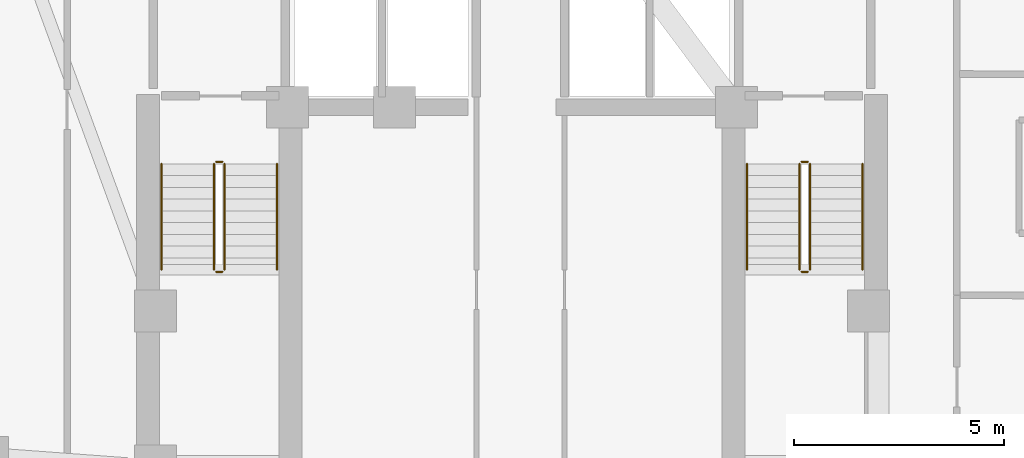
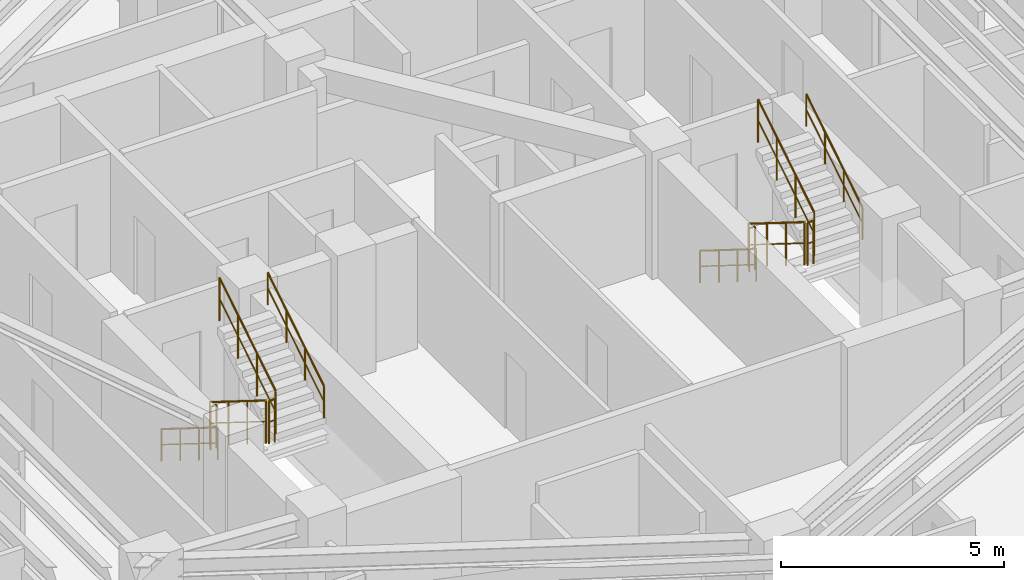
# One storey, part 12 of 12: 12 railings.
"""IFC4 building model written with IfcOpenShell, lengths in metres."""

import ifcopenshell
import ifcopenshell.guid

model = None  # the IFC model being written
_history = None  # IfcOwnerHistory: only IFC2X3 demands one
_inside = {}  # id of a spatial element -> (the spatial element, [elements in it])
_under = {}  # id of a project, library or spatial element -> (it, [spatial elements below it])
_declared = {}  # id of a project -> (the project, [libraries it declares])
_typed = {}  # id of a type object -> (the type object, [elements of that type])
_made_of = {}  # id of a material, layer set ... -> (it, [elements and type objects made of it])


def new_model(schema):
    """Start an empty IFC model of exactly this schema.

    Asked for "IFC4X3", IfcOpenShell would pick the latest addendum, in which some entities
    have other attributes; the version numbers below select the first issue.
    IFC2X3 requires an IfcOwnerHistory on every rooted entity: one is made here for all.
    """
    global model, _history
    if schema == "IFC4X3":
        model = ifcopenshell.file(schema_version=(4, 3, 0, 0))
    else:
        model = ifcopenshell.file(schema=schema)
    _inside.clear()
    _under.clear()
    _declared.clear()
    _typed.clear()
    _made_of.clear()
    _history = None
    if model.schema == "IFC2X3":
        org = make("IfcOrganization", Name="unknown")
        user = make(
            "IfcPersonAndOrganization",
            ThePerson=make("IfcPerson", FamilyName="unknown"),
            TheOrganization=org,
        )
        app = make(
            "IfcApplication",
            ApplicationDeveloper=org,
            Version="unknown",
            ApplicationFullName="unknown",
            ApplicationIdentifier="unknown",
        )
        _history = make(
            "IfcOwnerHistory",
            OwningUser=user,
            OwningApplication=app,
            ChangeAction="ADDED",
            CreationDate=0,
        )
    return model


def make(cls, **values):
    """One entity of the class cls with the attributes given. An attribute that is None is left unset."""
    return model.create_entity(
        cls, **{name: value for name, value in values.items() if value is not None}
    )


def rooted(cls, **values):
    """An entity with a GlobalId (a new one), such as an element, a storey or a relation."""
    return make(cls, GlobalId=ifcopenshell.guid.new(), OwnerHistory=_history, **values)


def si_unit(unit_type, name, prefix=None):
    """IfcSIUnit, for example si_unit("LENGTHUNIT", "METRE", prefix="MILLI")."""
    return make("IfcSIUnit", UnitType=unit_type, Prefix=prefix, Name=name)


def assignment(units):
    """IfcUnitAssignment: the units of a project."""
    return None if units is None else make("IfcUnitAssignment", Units=units)


def point(xyz):
    """IfcCartesianPoint."""
    return None if xyz is None else make("IfcCartesianPoint", Coordinates=xyz)


def direction(xyz):
    """IfcDirection."""
    return None if xyz is None else make("IfcDirection", DirectionRatios=xyz)


def frame(location, z_axis=None, x_axis=None):
    """IfcAxis2Placement3D, a coordinate frame: its origin and axes. An axis left out is left unset."""
    return make(
        "IfcAxis2Placement3D",
        Location=point(location),
        Axis=direction(z_axis),
        RefDirection=direction(x_axis),
    )


def frame_2d(location, x_axis=None):
    """IfcAxis2Placement2D, a coordinate frame in the plane: its origin and x axis."""
    return make(
        "IfcAxis2Placement2D", Location=point(location), RefDirection=direction(x_axis)
    )


def origin():
    """The frame at (0, 0, 0) with its axes left unset."""
    return frame((0.0, 0.0, 0.0))


def origin_2d():
    """The frame at (0, 0) in the plane with its x axis left unset."""
    return frame_2d((0.0, 0.0))


def place(relative_to, where):
    """IfcLocalPlacement: puts the frame where relative to a parent placement (None: the world)."""
    return make(
        "IfcLocalPlacement", PlacementRelTo=relative_to, RelativePlacement=where
    )


def context(
    kind, dimensions, precision=None, world=None, true_north=None, identifier=None
):
    """IfcGeometricRepresentationContext, for example the 3D "Model" context."""
    return make(
        "IfcGeometricRepresentationContext",
        ContextIdentifier=identifier,
        ContextType=kind,
        CoordinateSpaceDimension=dimensions,
        Precision=precision,
        WorldCoordinateSystem=world,
        TrueNorth=true_north,
    )


def subcontext(parent, identifier, kind, view, scale=None):
    """IfcGeometricRepresentationSubContext, for example "Body" below "Model"."""
    return make(
        "IfcGeometricRepresentationSubContext",
        ContextIdentifier=identifier,
        ContextType=kind,
        ParentContext=parent,
        TargetScale=scale,
        TargetView=view,
    )


def project(units=None, contexts=None):
    """IfcProject with its units and contexts."""
    return rooted(
        "IfcProject",
        Name="project",
        RepresentationContexts=contexts,
        UnitsInContext=assignment(units),
    )


def spatial(cls, under=None, at=None, **own):
    """A site, building, storey or space (cls), placed at a placement, below another one or the project."""
    s = rooted(cls, ObjectPlacement=at, **own)
    if under is not None:
        _under.setdefault(under.id(), (under, []))[1].append(s)
    return s


def profile(cls, at=None, kind="AREA", **sizes):
    """A parametric profile (cls). Its sizes go by their IFC names, for example OverallWidth=200.0."""
    return make(cls, ProfileType=kind, Position=at, **sizes)


def circle(**sizes):
    """IfcCircleProfileDef."""
    return profile("IfcCircleProfileDef", **sizes)


def extrude(swept, where, along, depth):
    """IfcExtrudedAreaSolid: the profile swept, set in the frame where, extruded along a direction by depth."""
    return make(
        "IfcExtrudedAreaSolid",
        SweptArea=swept,
        Position=where,
        ExtrudedDirection=direction(along),
        Depth=depth,
    )


def shape(context_of_items, identifier, shape_type, items):
    """IfcShapeRepresentation: the items that make up one representation, for example the "Body"."""
    return make(
        "IfcShapeRepresentation",
        ContextOfItems=context_of_items,
        RepresentationIdentifier=identifier,
        RepresentationType=shape_type,
        Items=items,
    )


def material(Name=None, Category=None):
    """IfcMaterial."""
    return make("IfcMaterial", Name=Name, Category=Category)


def made_of(thing, what):
    """Note that an element or type object is made of a material, layer set ...; save() writes the relation."""
    if what is not None:
        _made_of.setdefault(what.id(), (what, []))[1].append(thing)
    return thing


def type_object(cls, material=None, **own):
    """A type object (cls), such as IfcWallType, which elements share."""
    return made_of(rooted(cls, **own), material)


def element(
    cls,
    number,
    at=None,
    inside=None,
    cuts=None,
    type_object=None,
    material=None,
    context=None,
    identifier="Body",
    shape_type=None,
    held_by="IfcProductDefinitionShape",
    body=None,
    shapes=None,
    **own,
):
    """One element of the class cls, such as IfcWall. Its Tag is "e" and its number.

    at: its placement. inside: the storey or other place that contains it. cuts: it is an
    opening in that element (IfcRelVoidsElement). A single representation is given by context,
    identifier, shape_type and body (its items); several are given by shapes. held_by: the class
    of the entity that holds the representations. save() writes the other relations.
    """
    e = rooted(cls, Tag="e%d" % number, ObjectPlacement=at, **own)
    if body is not None:
        shapes = [shape(context, identifier, shape_type, body)]
    if shapes is not None:
        e.Representation = make(held_by, Representations=shapes)
    if inside is not None:
        _inside.setdefault(inside.id(), (inside, []))[1].append(e)
    if cuts is not None:
        rooted(
            "IfcRelVoidsElement", RelatingBuildingElement=cuts, RelatedOpeningElement=e
        )
    if type_object is not None:
        _typed.setdefault(type_object.id(), (type_object, []))[1].append(e)
    return made_of(e, material)


def aggregate(whole, parts):
    """IfcRelAggregates: a whole, such as a stair, and the parts it consists of."""
    return rooted("IfcRelAggregates", RelatingObject=whole, RelatedObjects=parts)


def save(model, path):
    """Write the relations noted so far, then the file.

    IfcRelAggregates (storeys below a building ...), IfcRelContainedInSpatialStructure (elements
    in a storey), IfcRelDefinesByType, IfcRelAssociatesMaterial and IfcRelDeclares: one each for
    every whole, place, type object, material and project.
    """
    for whole, parts in _under.values():
        aggregate(whole, parts)
    for where, things in _inside.values():
        rooted(
            "IfcRelContainedInSpatialStructure",
            RelatedElements=things,
            RelatingStructure=where,
        )
    for kind, things in _typed.values():
        rooted("IfcRelDefinesByType", RelatedObjects=things, RelatingType=kind)
    for what, things in _made_of.values():
        rooted("IfcRelAssociatesMaterial", RelatedObjects=things, RelatingMaterial=what)
    for by, libraries in _declared.values():
        rooted("IfcRelDeclares", RelatingContext=by, RelatedDefinitions=libraries)
    model.write(path)


model = new_model("IFC4")

# Units and contexts
model_context = context("Model", 3, precision=1e-05, world=origin(), true_north=direction((0.0, 1.0)))
body_context = subcontext(model_context, "Body", "Model", "MODEL_VIEW")
ifc_project = project(units=[si_unit("LENGTHUNIT", "METRE"), si_unit("AREAUNIT", "SQUARE_METRE"), si_unit("VOLUMEUNIT", "CUBIC_METRE"), si_unit("PLANEANGLEUNIT", "RADIAN"), si_unit("MASSUNIT", "GRAM", prefix="KILO")], contexts=[model_context])

# Site, building, storey
site_placement = place(None, origin())
site = spatial("IfcSite", under=ifc_project, at=site_placement, CompositionType="ELEMENT")
building_placement = place(site_placement, origin())
building = spatial("IfcBuilding", under=site, at=building_placement, Name="Miruveldt Soraemaru", CompositionType="ELEMENT")
storey_placement = place(building_placement, frame((0.0, 0.0, 110.89990234375)))
storey = spatial("IfcBuildingStorey", under=building, at=storey_placement, Name="L30", CompositionType="ELEMENT", Elevation=110.89990234375)

# Railings
ifc_material = material(Name="Steel S355 (355 MPa)", Category="steel")
railing_type_1 = type_object("IfcRailingType", Name="RAIL-HR-900", PredefinedType="HANDRAIL", material=ifc_material)
railing_1_placement = place(storey_placement, frame((35.64990234375, 42.699951171875, 0.175048828125)))
element("IfcRailing", 1, at=railing_1_placement, inside=storey, type_object=railing_type_1, Name="L30 ST-1 stair handrail 1", PredefinedType="HANDRAIL", context=body_context, shape_type="SweptSolid", body=[
    extrude(circle(Radius=0.02392578125, at=origin_2d()), frame((0.0, 0.0, 0.8759765625), z_axis=(0.0, -0.848007534815, 0.529984170421), x_axis=(1.0, 0.0, 0.0)), (0.0, 0.0, 1.0), 2.9716796875),
    extrude(circle(Radius=0.01611328125, at=origin_2d()), frame((0.0, 0.0, 0.449951171875), z_axis=(0.0, -0.848007534815, 0.529984170421), x_axis=(1.0, 0.0, 0.0)), (0.0, 0.0, 1.0), 2.9716796875),
    extrude(circle(Radius=0.02099609375, at=origin_2d()), origin(), (0.0, 0.0, 1.0), 0.851806640625),
    extrude(circle(Radius=0.02099609375, at=origin_2d()), frame((0.0, -0.840087890625, 0.52490234375)), (0.0, 0.0, 1.0), 0.851806640625),
    extrude(circle(Radius=0.02099609375, at=origin_2d()), frame((0.0, -1.679931640625, 1.050048828125)), (0.0, 0.0, 1.0), 0.851806640625),
    extrude(circle(Radius=0.02099609375, at=origin_2d()), frame((0.0, -2.52001953125, 1.574951171875)), (0.0, 0.0, 1.0), 0.851806640625),
])
railing_2_placement = place(storey_placement, frame((38.39990234375, 40.179931640625, 1.925048828125)))
element("IfcRailing", 2, at=railing_2_placement, inside=storey, type_object=railing_type_1, Name="L30 ST-1 stair handrail 2", PredefinedType="HANDRAIL", context=body_context, shape_type="SweptSolid", body=[
    extrude(circle(Radius=0.02392578125, at=origin_2d()), frame((0.0, 0.0, 0.8759765625), z_axis=(0.0, 0.848007534815, 0.529984170421), x_axis=(-1.0, 0.0, 0.0)), (0.0, 0.0, 1.0), 2.9716796875),
    extrude(circle(Radius=0.01611328125, at=origin_2d()), frame((0.0, 0.0, 0.449951171875), z_axis=(0.0, 0.848007534815, 0.529984170421), x_axis=(-1.0, 0.0, 0.0)), (0.0, 0.0, 1.0), 2.9716796875),
    extrude(circle(Radius=0.02099609375, at=origin_2d()), origin(), (0.0, 0.0, 1.0), 0.851806640625),
    extrude(circle(Radius=0.02099609375, at=origin_2d()), frame((0.0, 0.840087890625, 0.52490234375)), (0.0, 0.0, 1.0), 0.851806640625),
    extrude(circle(Radius=0.02099609375, at=origin_2d()), frame((0.0, 1.679931640625, 1.050048828125)), (0.0, 0.0, 1.0), 0.851806640625),
    extrude(circle(Radius=0.02099609375, at=origin_2d()), frame((0.0, 2.52001953125, 1.574951171875)), (0.0, 0.0, 1.0), 0.851806640625),
])
railing_3_placement = place(storey_placement, frame((49.60009765625, 42.699951171875, 0.175048828125)))
element("IfcRailing", 3, at=railing_3_placement, inside=storey, type_object=railing_type_1, Name="L30 ST-2 stair handrail 1", PredefinedType="HANDRAIL", context=body_context, shape_type="SweptSolid", body=[
    extrude(circle(Radius=0.02392578125, at=origin_2d()), frame((0.0, 0.0, 0.8759765625), z_axis=(0.0, -0.848007534815, 0.529984170421), x_axis=(1.0, 0.0, 0.0)), (0.0, 0.0, 1.0), 2.9716796875),
    extrude(circle(Radius=0.01611328125, at=origin_2d()), frame((0.0, 0.0, 0.449951171875), z_axis=(0.0, -0.848007534815, 0.529984170421), x_axis=(1.0, 0.0, 0.0)), (0.0, 0.0, 1.0), 2.9716796875),
    extrude(circle(Radius=0.02099609375, at=origin_2d()), origin(), (0.0, 0.0, 1.0), 0.851806640625),
    extrude(circle(Radius=0.02099609375, at=origin_2d()), frame((0.0, -0.840087890625, 0.52490234375)), (0.0, 0.0, 1.0), 0.851806640625),
    extrude(circle(Radius=0.02099609375, at=origin_2d()), frame((0.0, -1.679931640625, 1.050048828125)), (0.0, 0.0, 1.0), 0.851806640625),
    extrude(circle(Radius=0.02099609375, at=origin_2d()), frame((0.0, -2.52001953125, 1.574951171875)), (0.0, 0.0, 1.0), 0.851806640625),
])
railing_4_placement = place(storey_placement, frame((52.35009765625, 40.179931640625, 1.925048828125)))
element("IfcRailing", 4, at=railing_4_placement, inside=storey, type_object=railing_type_1, Name="L30 ST-2 stair handrail 2", PredefinedType="HANDRAIL", context=body_context, shape_type="SweptSolid", body=[
    extrude(circle(Radius=0.02392578125, at=origin_2d()), frame((0.0, 0.0, 0.8759765625), z_axis=(0.0, 0.848007534815, 0.529984170421), x_axis=(-1.0, 0.0, 0.0)), (0.0, 0.0, 1.0), 2.9716796875),
    extrude(circle(Radius=0.01611328125, at=origin_2d()), frame((0.0, 0.0, 0.449951171875), z_axis=(0.0, 0.848007534815, 0.529984170421), x_axis=(-1.0, 0.0, 0.0)), (0.0, 0.0, 1.0), 2.9716796875),
    extrude(circle(Radius=0.02099609375, at=origin_2d()), origin(), (0.0, 0.0, 1.0), 0.851806640625),
    extrude(circle(Radius=0.02099609375, at=origin_2d()), frame((0.0, 0.840087890625, 0.52490234375)), (0.0, 0.0, 1.0), 0.851806640625),
    extrude(circle(Radius=0.02099609375, at=origin_2d()), frame((0.0, 1.679931640625, 1.050048828125)), (0.0, 0.0, 1.0), 0.851806640625),
    extrude(circle(Radius=0.02099609375, at=origin_2d()), frame((0.0, 2.52001953125, 1.574951171875)), (0.0, 0.0, 1.0), 0.851806640625),
])
railing_type_2 = type_object("IfcRailingType", Name="RAIL-STGUARD-1200", PredefinedType="GUARDRAIL", material=ifc_material)
railing_5_placement = place(storey_placement, frame((36.89990234375, 42.699951171875, 0.175048828125)))
element("IfcRailing", 5, at=railing_5_placement, inside=storey, type_object=railing_type_2, Name="L30 ST-1 stair guard 1", PredefinedType="GUARDRAIL", context=body_context, shape_type="SweptSolid", body=[
    extrude(circle(Radius=0.02392578125, at=origin_2d()), frame((0.0, 0.0, 1.17578125), z_axis=(0.0, -0.848007534815, 0.529984170421), x_axis=(1.0, 0.0, 0.0)), (0.0, 0.0, 1.0), 2.9716796875),
    extrude(circle(Radius=0.01611328125, at=origin_2d()), frame((0.0, 0.0, 0.60009765625), z_axis=(0.0, -0.848007534815, 0.529984170421), x_axis=(1.0, 0.0, 0.0)), (0.0, 0.0, 1.0), 2.9716796875),
    extrude(circle(Radius=0.02099609375, at=origin_2d()), origin(), (0.0, 0.0, 1.0), 1.15185546875),
    extrude(circle(Radius=0.02099609375, at=origin_2d()), frame((0.0, -0.840087890625, 0.52490234375)), (0.0, 0.0, 1.0), 1.15185546875),
    extrude(circle(Radius=0.02099609375, at=origin_2d()), frame((0.0, -1.679931640625, 1.050048828125)), (0.0, 0.0, 1.0), 1.15185546875),
    extrude(circle(Radius=0.02099609375, at=origin_2d()), frame((0.0, -2.52001953125, 1.574951171875)), (0.0, 0.0, 1.0), 1.15185546875),
])
railing_6_placement = place(storey_placement, frame((36.949951171875, 40.1298828125, 1.75)))
element("IfcRailing", 6, at=railing_6_placement, inside=storey, type_object=railing_type_2, Name="L30 ST-1 stair guard 2", PredefinedType="GUARDRAIL", context=body_context, shape_type="SweptSolid", body=[
    extrude(circle(Radius=0.02392578125, at=origin_2d()), frame((0.0, 0.0, 1.17578125), z_axis=(1.0, 0.0, 0.0), x_axis=(0.0, 1.0, 0.0)), (0.0, 0.0, 1.0), 0.150146484375),
    extrude(circle(Radius=0.01611328125, at=origin_2d()), frame((0.0, 0.0, 0.60009765625), z_axis=(1.0, 0.0, 0.0), x_axis=(0.0, 1.0, 0.0)), (0.0, 0.0, 1.0), 0.150146484375),
    extrude(circle(Radius=0.02099609375, at=origin_2d()), origin(), (0.0, 0.0, 1.0), 1.15185546875),
    extrude(circle(Radius=0.02099609375, at=origin_2d()), frame((0.150146484375, 0.0, 0.0)), (0.0, 0.0, 1.0), 1.15185546875),
])
railing_7_placement = place(storey_placement, frame((37.14990234375, 40.179931640625, 1.925048828125)))
element("IfcRailing", 7, at=railing_7_placement, inside=storey, type_object=railing_type_2, Name="L30 ST-1 stair guard 3", PredefinedType="GUARDRAIL", context=body_context, shape_type="SweptSolid", body=[
    extrude(circle(Radius=0.02392578125, at=origin_2d()), frame((0.0, 0.0, 1.17578125), z_axis=(0.0, 0.848007534815, 0.529984170421), x_axis=(-1.0, 0.0, 0.0)), (0.0, 0.0, 1.0), 2.9716796875),
    extrude(circle(Radius=0.01611328125, at=origin_2d()), frame((0.0, 0.0, 0.60009765625), z_axis=(0.0, 0.848007534815, 0.529984170421), x_axis=(-1.0, 0.0, 0.0)), (0.0, 0.0, 1.0), 2.9716796875),
    extrude(circle(Radius=0.02099609375, at=origin_2d()), origin(), (0.0, 0.0, 1.0), 1.15185546875),
    extrude(circle(Radius=0.02099609375, at=origin_2d()), frame((0.0, 0.840087890625, 0.52490234375)), (0.0, 0.0, 1.0), 1.15185546875),
    extrude(circle(Radius=0.02099609375, at=origin_2d()), frame((0.0, 1.679931640625, 1.050048828125)), (0.0, 0.0, 1.0), 1.15185546875),
    extrude(circle(Radius=0.02099609375, at=origin_2d()), frame((0.0, 2.52001953125, 1.574951171875)), (0.0, 0.0, 1.0), 1.15185546875),
])
railing_8_placement = place(storey_placement, frame((36.949951171875, 42.75, 0.0)))
element("IfcRailing", 8, at=railing_8_placement, inside=storey, type_object=railing_type_2, Name="L30 ST-1 stair guard 4", PredefinedType="GUARDRAIL", context=body_context, shape_type="SweptSolid", body=[
    extrude(circle(Radius=0.02392578125, at=origin_2d()), frame((0.0, 0.0, 1.17578125), z_axis=(1.0, 0.0, 0.0), x_axis=(0.0, 1.0, 0.0)), (0.0, 0.0, 1.0), 0.150146484375),
    extrude(circle(Radius=0.01611328125, at=origin_2d()), frame((0.0, 0.0, 0.60009765625), z_axis=(1.0, 0.0, 0.0), x_axis=(0.0, 1.0, 0.0)), (0.0, 0.0, 1.0), 0.150146484375),
    extrude(circle(Radius=0.02099609375, at=origin_2d()), origin(), (0.0, 0.0, 1.0), 1.15185546875),
    extrude(circle(Radius=0.02099609375, at=origin_2d()), frame((0.150146484375, 0.0, 0.0)), (0.0, 0.0, 1.0), 1.15185546875),
])
railing_9_placement = place(storey_placement, frame((50.85009765625, 42.699951171875, 0.175048828125)))
element("IfcRailing", 9, at=railing_9_placement, inside=storey, type_object=railing_type_2, Name="L30 ST-2 stair guard 1", PredefinedType="GUARDRAIL", context=body_context, shape_type="SweptSolid", body=[
    extrude(circle(Radius=0.02392578125, at=origin_2d()), frame((0.0, 0.0, 1.17578125), z_axis=(0.0, -0.848007534815, 0.529984170421), x_axis=(1.0, 0.0, 0.0)), (0.0, 0.0, 1.0), 2.9716796875),
    extrude(circle(Radius=0.01611328125, at=origin_2d()), frame((0.0, 0.0, 0.60009765625), z_axis=(0.0, -0.848007534815, 0.529984170421), x_axis=(1.0, 0.0, 0.0)), (0.0, 0.0, 1.0), 2.9716796875),
    extrude(circle(Radius=0.02099609375, at=origin_2d()), origin(), (0.0, 0.0, 1.0), 1.15185546875),
    extrude(circle(Radius=0.02099609375, at=origin_2d()), frame((0.0, -0.840087890625, 0.52490234375)), (0.0, 0.0, 1.0), 1.15185546875),
    extrude(circle(Radius=0.02099609375, at=origin_2d()), frame((0.0, -1.679931640625, 1.050048828125)), (0.0, 0.0, 1.0), 1.15185546875),
    extrude(circle(Radius=0.02099609375, at=origin_2d()), frame((0.0, -2.52001953125, 1.574951171875)), (0.0, 0.0, 1.0), 1.15185546875),
])
railing_10_placement = place(storey_placement, frame((50.89990234375, 40.1298828125, 1.75)))
element("IfcRailing", 10, at=railing_10_placement, inside=storey, type_object=railing_type_2, Name="L30 ST-2 stair guard 2", PredefinedType="GUARDRAIL", context=body_context, shape_type="SweptSolid", body=[
    extrude(circle(Radius=0.02392578125, at=origin_2d()), frame((0.0, 0.0, 1.17578125), z_axis=(1.0, 0.0, 0.0), x_axis=(0.0, 1.0, 0.0)), (0.0, 0.0, 1.0), 0.150146484375),
    extrude(circle(Radius=0.01611328125, at=origin_2d()), frame((0.0, 0.0, 0.60009765625), z_axis=(1.0, 0.0, 0.0), x_axis=(0.0, 1.0, 0.0)), (0.0, 0.0, 1.0), 0.150146484375),
    extrude(circle(Radius=0.02099609375, at=origin_2d()), origin(), (0.0, 0.0, 1.0), 1.15185546875),
    extrude(circle(Radius=0.02099609375, at=origin_2d()), frame((0.150146484375, 0.0, 0.0)), (0.0, 0.0, 1.0), 1.15185546875),
])
railing_11_placement = place(storey_placement, frame((51.10009765625, 40.179931640625, 1.925048828125)))
element("IfcRailing", 11, at=railing_11_placement, inside=storey, type_object=railing_type_2, Name="L30 ST-2 stair guard 3", PredefinedType="GUARDRAIL", context=body_context, shape_type="SweptSolid", body=[
    extrude(circle(Radius=0.02392578125, at=origin_2d()), frame((0.0, 0.0, 1.17578125), z_axis=(0.0, 0.848007534815, 0.529984170421), x_axis=(-1.0, 0.0, 0.0)), (0.0, 0.0, 1.0), 2.9716796875),
    extrude(circle(Radius=0.01611328125, at=origin_2d()), frame((0.0, 0.0, 0.60009765625), z_axis=(0.0, 0.848007534815, 0.529984170421), x_axis=(-1.0, 0.0, 0.0)), (0.0, 0.0, 1.0), 2.9716796875),
    extrude(circle(Radius=0.02099609375, at=origin_2d()), origin(), (0.0, 0.0, 1.0), 1.15185546875),
    extrude(circle(Radius=0.02099609375, at=origin_2d()), frame((0.0, 0.840087890625, 0.52490234375)), (0.0, 0.0, 1.0), 1.15185546875),
    extrude(circle(Radius=0.02099609375, at=origin_2d()), frame((0.0, 1.679931640625, 1.050048828125)), (0.0, 0.0, 1.0), 1.15185546875),
    extrude(circle(Radius=0.02099609375, at=origin_2d()), frame((0.0, 2.52001953125, 1.574951171875)), (0.0, 0.0, 1.0), 1.15185546875),
])
railing_12_placement = place(storey_placement, frame((50.89990234375, 42.75, 0.0)))
element("IfcRailing", 12, at=railing_12_placement, inside=storey, type_object=railing_type_2, Name="L30 ST-2 stair guard 4", PredefinedType="GUARDRAIL", context=body_context, shape_type="SweptSolid", body=[
    extrude(circle(Radius=0.02392578125, at=origin_2d()), frame((0.0, 0.0, 1.17578125), z_axis=(1.0, 0.0, 0.0), x_axis=(0.0, 1.0, 0.0)), (0.0, 0.0, 1.0), 0.150146484375),
    extrude(circle(Radius=0.01611328125, at=origin_2d()), frame((0.0, 0.0, 0.60009765625), z_axis=(1.0, 0.0, 0.0), x_axis=(0.0, 1.0, 0.0)), (0.0, 0.0, 1.0), 0.150146484375),
    extrude(circle(Radius=0.02099609375, at=origin_2d()), origin(), (0.0, 0.0, 1.0), 1.15185546875),
    extrude(circle(Radius=0.02099609375, at=origin_2d()), frame((0.150146484375, 0.0, 0.0)), (0.0, 0.0, 1.0), 1.15185546875),
])

save(model, "model.ifc")
